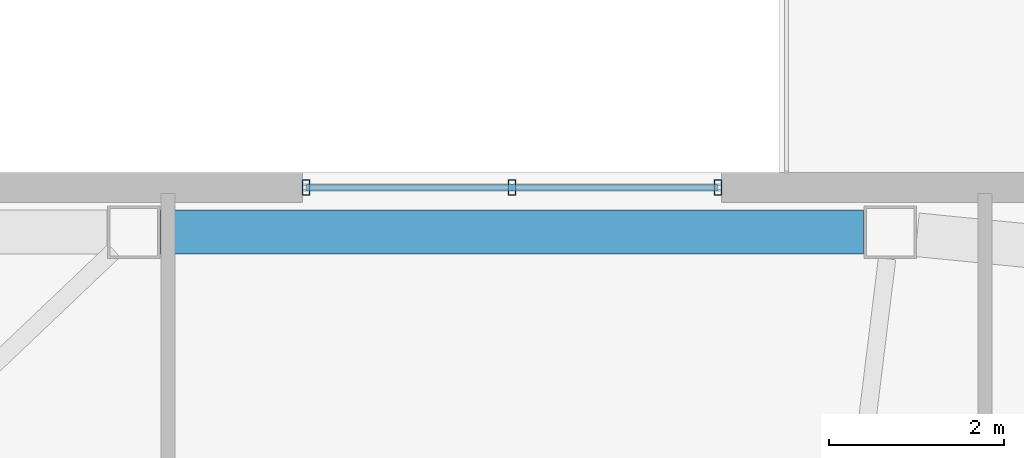
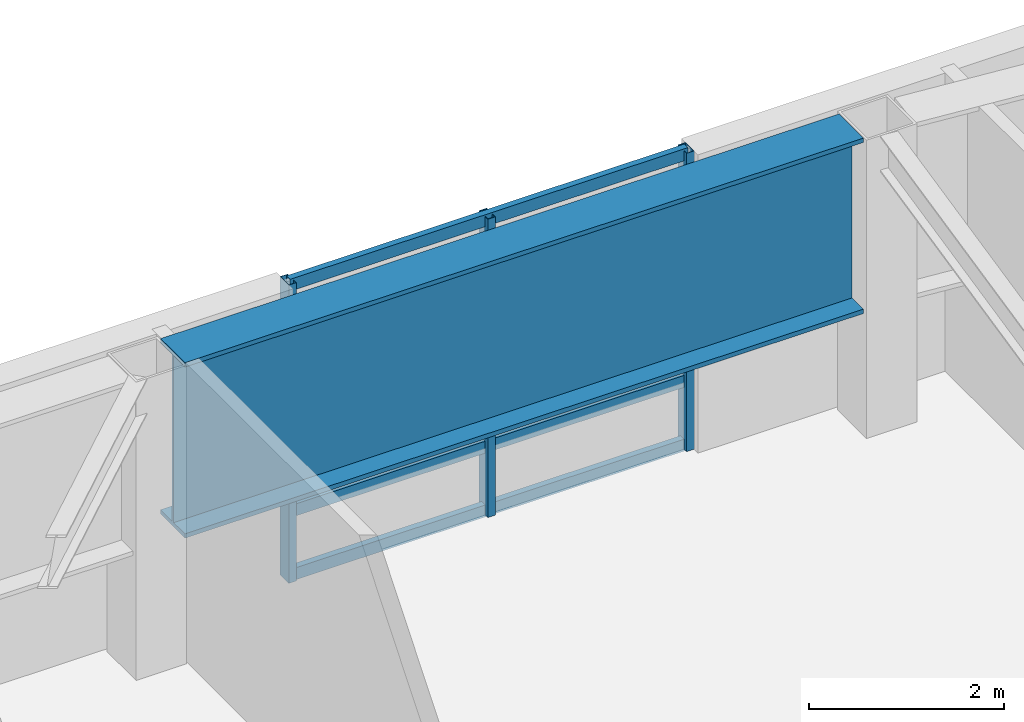
# One storey, part 6 of 19: 6 members, 1 beam, 1 element without a shape of its own.
"""IFC4 building model written with IfcOpenShell, lengths in metres."""

import ifcopenshell
import ifcopenshell.guid

model = None  # the IFC model being written
_history = None  # IfcOwnerHistory: only IFC2X3 demands one
_inside = {}  # id of a spatial element -> (the spatial element, [elements in it])
_under = {}  # id of a project, library or spatial element -> (it, [spatial elements below it])
_declared = {}  # id of a project -> (the project, [libraries it declares])
_typed = {}  # id of a type object -> (the type object, [elements of that type])
_made_of = {}  # id of a material, layer set ... -> (it, [elements and type objects made of it])


def new_model(schema):
    """Start an empty IFC model of exactly this schema.

    Asked for "IFC4X3", IfcOpenShell would pick the latest addendum, in which some entities
    have other attributes; the version numbers below select the first issue.
    IFC2X3 requires an IfcOwnerHistory on every rooted entity: one is made here for all.
    """
    global model, _history
    if schema == "IFC4X3":
        model = ifcopenshell.file(schema_version=(4, 3, 0, 0))
    else:
        model = ifcopenshell.file(schema=schema)
    _inside.clear()
    _under.clear()
    _declared.clear()
    _typed.clear()
    _made_of.clear()
    _history = None
    if model.schema == "IFC2X3":
        org = make("IfcOrganization", Name="unknown")
        user = make(
            "IfcPersonAndOrganization",
            ThePerson=make("IfcPerson", FamilyName="unknown"),
            TheOrganization=org,
        )
        app = make(
            "IfcApplication",
            ApplicationDeveloper=org,
            Version="unknown",
            ApplicationFullName="unknown",
            ApplicationIdentifier="unknown",
        )
        _history = make(
            "IfcOwnerHistory",
            OwningUser=user,
            OwningApplication=app,
            ChangeAction="ADDED",
            CreationDate=0,
        )
    return model


def make(cls, **values):
    """One entity of the class cls with the attributes given. An attribute that is None is left unset."""
    return model.create_entity(
        cls, **{name: value for name, value in values.items() if value is not None}
    )


def rooted(cls, **values):
    """An entity with a GlobalId (a new one), such as an element, a storey or a relation."""
    return make(cls, GlobalId=ifcopenshell.guid.new(), OwnerHistory=_history, **values)


def si_unit(unit_type, name, prefix=None):
    """IfcSIUnit, for example si_unit("LENGTHUNIT", "METRE", prefix="MILLI")."""
    return make("IfcSIUnit", UnitType=unit_type, Prefix=prefix, Name=name)


def assignment(units):
    """IfcUnitAssignment: the units of a project."""
    return None if units is None else make("IfcUnitAssignment", Units=units)


def point(xyz):
    """IfcCartesianPoint."""
    return None if xyz is None else make("IfcCartesianPoint", Coordinates=xyz)


def direction(xyz):
    """IfcDirection."""
    return None if xyz is None else make("IfcDirection", DirectionRatios=xyz)


def frame(location, z_axis=None, x_axis=None):
    """IfcAxis2Placement3D, a coordinate frame: its origin and axes. An axis left out is left unset."""
    return make(
        "IfcAxis2Placement3D",
        Location=point(location),
        Axis=direction(z_axis),
        RefDirection=direction(x_axis),
    )


def frame_2d(location, x_axis=None):
    """IfcAxis2Placement2D, a coordinate frame in the plane: its origin and x axis."""
    return make(
        "IfcAxis2Placement2D", Location=point(location), RefDirection=direction(x_axis)
    )


def origin():
    """The frame at (0, 0, 0) with its axes left unset."""
    return frame((0.0, 0.0, 0.0))


def origin_2d():
    """The frame at (0, 0) in the plane with its x axis left unset."""
    return frame_2d((0.0, 0.0))


def place(relative_to, where):
    """IfcLocalPlacement: puts the frame where relative to a parent placement (None: the world)."""
    return make(
        "IfcLocalPlacement", PlacementRelTo=relative_to, RelativePlacement=where
    )


def context(
    kind, dimensions, precision=None, world=None, true_north=None, identifier=None
):
    """IfcGeometricRepresentationContext, for example the 3D "Model" context."""
    return make(
        "IfcGeometricRepresentationContext",
        ContextIdentifier=identifier,
        ContextType=kind,
        CoordinateSpaceDimension=dimensions,
        Precision=precision,
        WorldCoordinateSystem=world,
        TrueNorth=true_north,
    )


def subcontext(parent, identifier, kind, view, scale=None):
    """IfcGeometricRepresentationSubContext, for example "Body" below "Model"."""
    return make(
        "IfcGeometricRepresentationSubContext",
        ContextIdentifier=identifier,
        ContextType=kind,
        ParentContext=parent,
        TargetScale=scale,
        TargetView=view,
    )


def project(units=None, contexts=None):
    """IfcProject with its units and contexts."""
    return rooted(
        "IfcProject",
        Name="project",
        RepresentationContexts=contexts,
        UnitsInContext=assignment(units),
    )


def spatial(cls, under=None, at=None, **own):
    """A site, building, storey or space (cls), placed at a placement, below another one or the project."""
    s = rooted(cls, ObjectPlacement=at, **own)
    if under is not None:
        _under.setdefault(under.id(), (under, []))[1].append(s)
    return s


def profile(cls, at=None, kind="AREA", **sizes):
    """A parametric profile (cls). Its sizes go by their IFC names, for example OverallWidth=200.0."""
    return make(cls, ProfileType=kind, Position=at, **sizes)


def hollow_rectangle(**sizes):
    """IfcRectangleHollowProfileDef."""
    return profile("IfcRectangleHollowProfileDef", **sizes)


def i_section(**sizes):
    """IfcIShapeProfileDef."""
    return profile("IfcIShapeProfileDef", **sizes)


def extrude(swept, where, along, depth):
    """IfcExtrudedAreaSolid: the profile swept, set in the frame where, extruded along a direction by depth."""
    return make(
        "IfcExtrudedAreaSolid",
        SweptArea=swept,
        Position=where,
        ExtrudedDirection=direction(along),
        Depth=depth,
    )


def shape(context_of_items, identifier, shape_type, items):
    """IfcShapeRepresentation: the items that make up one representation, for example the "Body"."""
    return make(
        "IfcShapeRepresentation",
        ContextOfItems=context_of_items,
        RepresentationIdentifier=identifier,
        RepresentationType=shape_type,
        Items=items,
    )


def material(Name=None, Category=None):
    """IfcMaterial."""
    return make("IfcMaterial", Name=Name, Category=Category)


def layer(
    of_material, thickness, ventilated=None, Name=None, Category=None, Priority=None
):
    """IfcMaterialLayer: one layer of a wall or slab, of a material (None: an air gap)."""
    return make(
        "IfcMaterialLayer",
        Material=of_material,
        LayerThickness=thickness,
        IsVentilated=ventilated,
        Name=Name,
        Category=Category,
        Priority=Priority,
    )


def layer_set(layers, Name=None):
    """IfcMaterialLayerSet."""
    return make("IfcMaterialLayerSet", MaterialLayers=layers, LayerSetName=Name)


def material_profile(
    of_material, cross_section, Name=None, Category=None, Priority=None
):
    """IfcMaterialProfile: a cross section and its material."""
    return make(
        "IfcMaterialProfile",
        Name=Name,
        Material=of_material,
        Profile=cross_section,
        Priority=Priority,
        Category=Category,
    )


def profile_set(profiles, Name=None, composite=None):
    """IfcMaterialProfileSet."""
    return make(
        "IfcMaterialProfileSet",
        Name=Name,
        MaterialProfiles=profiles,
        CompositeProfile=composite,
    )


def made_of(thing, what):
    """Note that an element or type object is made of a material, layer set ...; save() writes the relation."""
    if what is not None:
        _made_of.setdefault(what.id(), (what, []))[1].append(thing)
    return thing


def type_object(cls, material=None, **own):
    """A type object (cls), such as IfcWallType, which elements share."""
    return made_of(rooted(cls, **own), material)


def element(
    cls,
    number,
    at=None,
    inside=None,
    cuts=None,
    type_object=None,
    material=None,
    context=None,
    identifier="Body",
    shape_type=None,
    held_by="IfcProductDefinitionShape",
    body=None,
    shapes=None,
    **own,
):
    """One element of the class cls, such as IfcWall. Its Tag is "e" and its number.

    at: its placement. inside: the storey or other place that contains it. cuts: it is an
    opening in that element (IfcRelVoidsElement). A single representation is given by context,
    identifier, shape_type and body (its items); several are given by shapes. held_by: the class
    of the entity that holds the representations. save() writes the other relations.
    """
    e = rooted(cls, Tag="e%d" % number, ObjectPlacement=at, **own)
    if body is not None:
        shapes = [shape(context, identifier, shape_type, body)]
    if shapes is not None:
        e.Representation = make(held_by, Representations=shapes)
    if inside is not None:
        _inside.setdefault(inside.id(), (inside, []))[1].append(e)
    if cuts is not None:
        rooted(
            "IfcRelVoidsElement", RelatingBuildingElement=cuts, RelatedOpeningElement=e
        )
    if type_object is not None:
        _typed.setdefault(type_object.id(), (type_object, []))[1].append(e)
    return made_of(e, material)


def aggregate(whole, parts):
    """IfcRelAggregates: a whole, such as a stair, and the parts it consists of."""
    return rooted("IfcRelAggregates", RelatingObject=whole, RelatedObjects=parts)


def save(model, path):
    """Write the relations noted so far, then the file.

    IfcRelAggregates (storeys below a building ...), IfcRelContainedInSpatialStructure (elements
    in a storey), IfcRelDefinesByType, IfcRelAssociatesMaterial and IfcRelDeclares: one each for
    every whole, place, type object, material and project.
    """
    for whole, parts in _under.values():
        aggregate(whole, parts)
    for where, things in _inside.values():
        rooted(
            "IfcRelContainedInSpatialStructure",
            RelatedElements=things,
            RelatingStructure=where,
        )
    for kind, things in _typed.values():
        rooted("IfcRelDefinesByType", RelatedObjects=things, RelatingType=kind)
    for what, things in _made_of.values():
        rooted("IfcRelAssociatesMaterial", RelatedObjects=things, RelatingMaterial=what)
    for by, libraries in _declared.values():
        rooted("IfcRelDeclares", RelatingContext=by, RelatedDefinitions=libraries)
    model.write(path)


model = new_model("IFC4")

# Units and contexts
model_context = context("Model", 3, precision=1e-05, world=origin(), true_north=direction((0.0, 1.0)))
body_context = subcontext(model_context, "Body", "Model", "MODEL_VIEW")
ifc_project = project(units=[si_unit("LENGTHUNIT", "METRE"), si_unit("AREAUNIT", "SQUARE_METRE"), si_unit("VOLUMEUNIT", "CUBIC_METRE"), si_unit("PLANEANGLEUNIT", "RADIAN"), si_unit("MASSUNIT", "GRAM", prefix="KILO")], contexts=[model_context])

# Site, building, storey
site_placement = place(None, origin())
site = spatial("IfcSite", under=ifc_project, at=site_placement, CompositionType="ELEMENT")
building_placement = place(site_placement, origin())
building = spatial("IfcBuilding", under=site, at=building_placement, Name="Tavrogorsk Clinical Tower", CompositionType="ELEMENT")
storey_placement = place(building_placement, frame((0.0, 0.0, 172.199951171875)))
storey = spatial("IfcBuildingStorey", under=building, at=storey_placement, Name="L39", CompositionType="ELEMENT", Elevation=172.199951171875)

# Curtain wall, members
ifc_material_1 = material(Name="Anodised aluminium and triple IGU glazing", Category="aluminium")
ifc_layer = layer(ifc_material_1, 0.179931640625)
ifc_layer_set = layer_set([ifc_layer], Name="Anodised aluminium and triple IGU glazing")
curtain_wall_type = type_object("IfcCurtainWallType", Name="CW2_NorthSlot", PredefinedType="NOTDEFINED", material=ifc_layer_set)
curtain_wall_placement = place(storey_placement, origin())
curtain_wall = element("IfcCurtainWall", 1, at=curtain_wall_placement, inside=storey, type_object=curtain_wall_type, Name="L39 Curtain Wall CW-L39-N-SLOT-1", PredefinedType="NOTDEFINED")
ifc_material_2 = material(Name="Anodised aluminium alloy AW-6060", Category="aluminium")
ifc_material_profile_1 = material_profile(ifc_material_2, hollow_rectangle(XDim=0.090087890625, YDim=0.179931640625, WallThickness=0.00634765625, at=origin_2d()), Name="RHS-180x90x6.3")
ifc_profile_set_1 = profile_set([ifc_material_profile_1], Name="Anodised aluminium alloy AW-6060")
member_type_1 = type_object("IfcMemberType", Name="CwMullion_180x90", PredefinedType="MULLION", material=ifc_profile_set_1)
member_1_placement = place(storey_placement, frame((-3.90380859375, 26.929931640625, 0.0), z_axis=(0.0, 0.0, 1.0), x_axis=(-1.0, 0.0, 0.0)))
member_1 = element("IfcMember", 2, at=member_1_placement, type_object=member_type_1, Name="CW-L39-N-SLOT-1 Mullion 1", PredefinedType="MULLION", context=body_context, shape_type="SweptSolid", body=[
    extrude(hollow_rectangle(XDim=0.090087890625, YDim=0.179931640625, WallThickness=0.00634765625, at=origin_2d()), origin(), (0.0, 0.0, 1.0), 3.739990234375),
])
member_2_placement = place(storey_placement, frame((-6.262939453125, 26.929931640625, 0.0), z_axis=(0.0, 0.0, 1.0), x_axis=(-1.0, 0.0, 0.0)))
member_2 = element("IfcMember", 3, at=member_2_placement, type_object=member_type_1, Name="CW-L39-N-SLOT-1 Mullion 2", PredefinedType="MULLION", context=body_context, shape_type="SweptSolid", body=[
    extrude(hollow_rectangle(XDim=0.090087890625, YDim=0.179931640625, WallThickness=0.00634765625, at=origin_2d()), origin(), (0.0, 0.0, 1.0), 3.739990234375),
])
member_3_placement = place(storey_placement, frame((-8.621826171875, 26.929931640625, 0.0), z_axis=(0.0, 0.0, 1.0), x_axis=(-1.0, 0.0, 0.0)))
member_3 = element("IfcMember", 4, at=member_3_placement, type_object=member_type_1, Name="CW-L39-N-SLOT-1 Mullion 3", PredefinedType="MULLION", context=body_context, shape_type="SweptSolid", body=[
    extrude(hollow_rectangle(XDim=0.090087890625, YDim=0.179931640625, WallThickness=0.00634765625, at=origin_2d()), origin(), (0.0, 0.0, 1.0), 3.739990234375),
])
ifc_material_3 = material(Name="Anodised aluminium alloy AW-6060", Category="aluminium")
ifc_material_profile_2 = material_profile(ifc_material_3, hollow_rectangle(XDim=0.074951171875, YDim=0.14990234375, WallThickness=0.0048828125, at=origin_2d()), Name="RHS-150x75x5")
ifc_profile_set_2 = profile_set([ifc_material_profile_2], Name="Anodised aluminium alloy AW-6060")
member_type_2 = type_object("IfcMemberType", Name="CwTransom_150x75", PredefinedType="USERDEFINED", material=ifc_profile_set_2)
member_4_placement = place(storey_placement, frame((-3.90380859375, 26.929931640625, 0.050048828125), z_axis=(-1.0, 0.0, 0.0), x_axis=(0.0, -1.0, 0.0)))
member_4 = element("IfcMember", 5, at=member_4_placement, type_object=member_type_2, Name="CW-L39-N-SLOT-1 Transom 1", ObjectType="TRANSOM", PredefinedType="USERDEFINED", context=body_context, shape_type="SweptSolid", body=[
    extrude(hollow_rectangle(XDim=0.074951171875, YDim=0.14990234375, WallThickness=0.0048828125, at=origin_2d()), origin(), (0.0, 0.0, 1.0), 4.718017578125),
])
member_5_placement = place(storey_placement, frame((-3.90380859375, 26.929931640625, 0.85009765625), z_axis=(-1.0, 0.0, 0.0), x_axis=(0.0, -1.0, 0.0)))
member_5 = element("IfcMember", 6, at=member_5_placement, type_object=member_type_2, Name="CW-L39-N-SLOT-1 Transom 2", ObjectType="TRANSOM", PredefinedType="USERDEFINED", context=body_context, shape_type="SweptSolid", body=[
    extrude(hollow_rectangle(XDim=0.074951171875, YDim=0.14990234375, WallThickness=0.0048828125, at=origin_2d()), origin(), (0.0, 0.0, 1.0), 4.718017578125),
])
member_6_placement = place(storey_placement, frame((-3.90380859375, 26.929931640625, 3.68994140625), z_axis=(-1.0, 0.0, 0.0), x_axis=(0.0, -1.0, 0.0)))
member_6 = element("IfcMember", 7, at=member_6_placement, type_object=member_type_2, Name="CW-L39-N-SLOT-1 Transom 3", ObjectType="TRANSOM", PredefinedType="USERDEFINED", context=body_context, shape_type="SweptSolid", body=[
    extrude(hollow_rectangle(XDim=0.074951171875, YDim=0.14990234375, WallThickness=0.0048828125, at=origin_2d()), origin(), (0.0, 0.0, 1.0), 4.718017578125),
])
aggregate(curtain_wall, [member_1, member_2, member_3, member_4, member_5, member_6])

# Beam
ifc_material_4 = material(Name="Structural steel S440", Category="steel")
ifc_material_profile_3 = material_profile(ifc_material_4, i_section(OverallWidth=0.5, OverallDepth=2.199951171875, WebThickness=0.035888671875, FlangeThickness=0.054931640625, at=origin_2d()), Name="DK-2200x500x36x55")
ifc_profile_set_3 = profile_set([ifc_material_profile_3], Name="Structural steel S440")
beam_type = type_object("IfcBeamType", Name="TransferGirder_DK2200", PredefinedType="USERDEFINED", material=ifc_profile_set_3)
beam_placement = place(storey_placement, frame((-2.239501953125, 26.419921875, 2.64013671875), z_axis=(-1.0, 0.0, 0.0), x_axis=(0.0, -1.0, 0.0)))
element("IfcBeam", 8, at=beam_placement, inside=storey, type_object=beam_type, Name="L39 Perimeter Spandrel N5-N6", ObjectType="GIRDER", PredefinedType="USERDEFINED", context=body_context, shape_type="SweptSolid", body=[
    extrude(i_section(OverallWidth=0.5, OverallDepth=2.199951171875, WebThickness=0.035888671875, FlangeThickness=0.054931640625, at=origin_2d()), origin(), (0.0, 0.0, 1.0), 8.046875),
])

save(model, "model.ifc")
